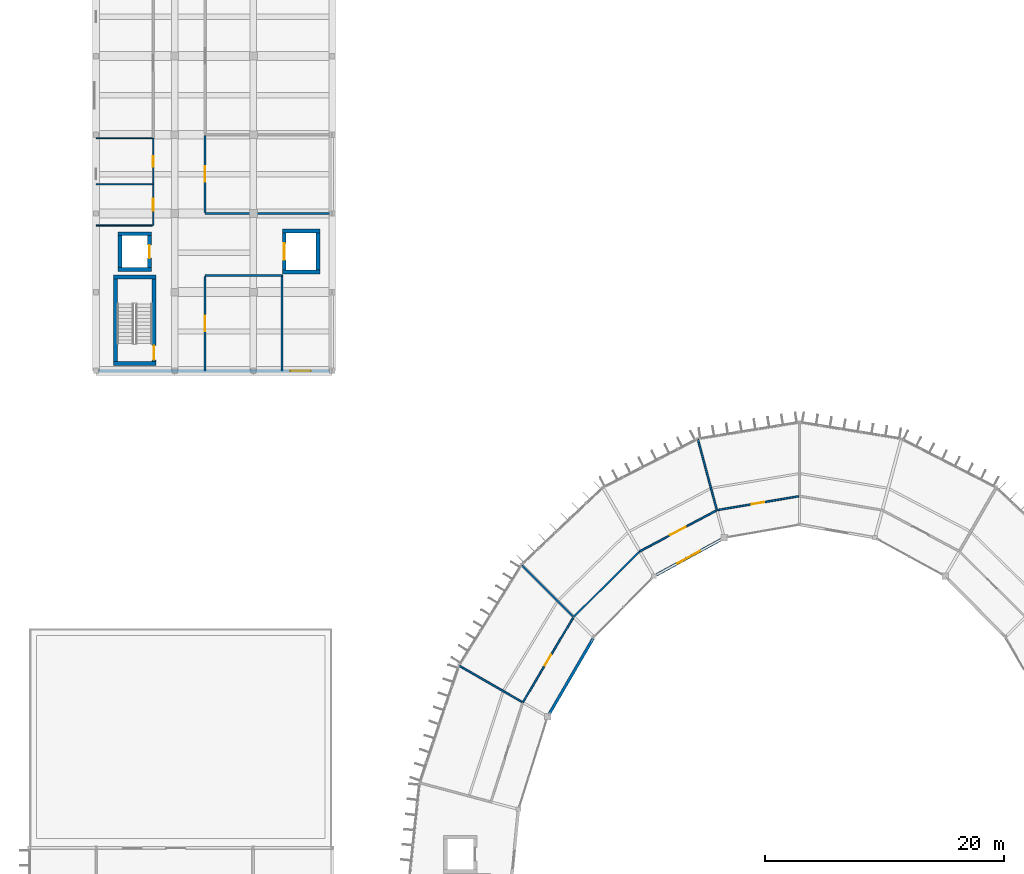
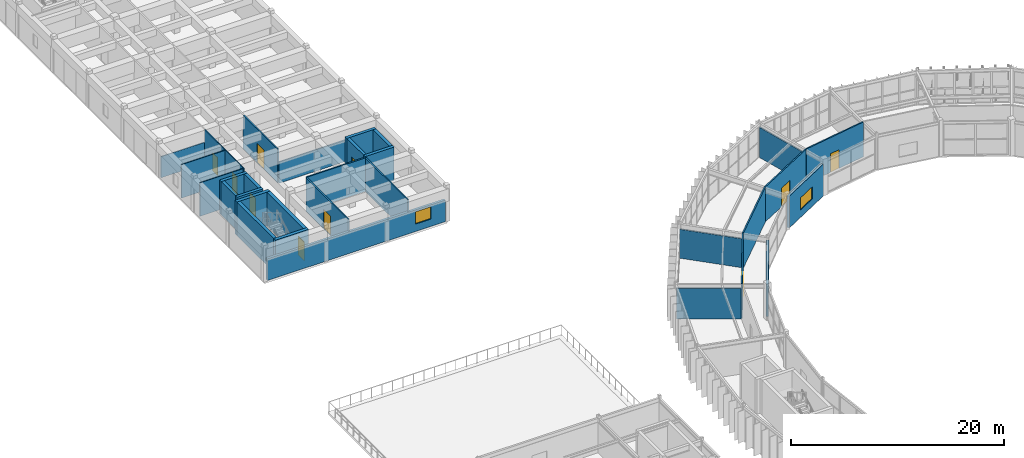
# One storey, part 114 of 130: 32 walls, 10 doors, 2 windows, 12 openings.
"""IFC4 building model written with IfcOpenShell, lengths in metres."""

from ifc_helpers import new_model, si_unit, direction, frame, frame_2d, origin, place, context, subcontext, project, spatial, rectangle, extrude, material, layer, layer_set, type_object, element, fill, save


model = new_model("IFC4")

# Units and contexts
model_context = context("Model", 3, precision=1e-05, world=origin(), true_north=direction((0.0, 1.0)))
body_context = subcontext(model_context, "Body", "Model", "MODEL_VIEW")
ifc_project = project(units=[si_unit("LENGTHUNIT", "METRE"), si_unit("AREAUNIT", "SQUARE_METRE"), si_unit("VOLUMEUNIT", "CUBIC_METRE"), si_unit("PLANEANGLEUNIT", "RADIAN"), si_unit("MASSUNIT", "GRAM", prefix="KILO")], contexts=[model_context])

# Site, building, storey
site_placement = place(None, origin())
site = spatial("IfcSite", under=ifc_project, at=site_placement, CompositionType="ELEMENT")
building_placement = place(site_placement, origin())
building = spatial("IfcBuilding", under=site, at=building_placement, Name="Karori Crest Natural Sciences Institute", CompositionType="ELEMENT")
storey_placement = place(building_placement, frame((0.0, 0.0, 17.5)))
storey = spatial("IfcBuildingStorey", under=building, at=storey_placement, Name="L04", CompositionType="ELEMENT", Elevation=17.5)

# Walls
ifc_material_1 = material(Name="Concrete 50 MPa", Category="concrete")
ifc_layer_1 = layer(ifc_material_1, 0.35009765625, Name="Concrete 50 MPa")
ifc_layer_set_1 = layer_set([ifc_layer_1], Name="Concrete 50 MPa")
wall_type_1 = type_object("IfcWallType", Name="IWT-02", PredefinedType="SHEAR", material=ifc_layer_set_1)
for number, where, z_axis, x_axis, name in (
    (1, (8.85009765625, 95.625, 0.0), (0.0, 0.0, 1.0), (1.0, 0.0, 0.0), "Shear wall IW-0185"),
    (2, (8.85009765625, 102.875, 0.0), (0.0, 0.0, 1.0), (1.0, 0.0, 0.0), "Shear wall IW-0186"),
):
    element("IfcWall", number, at=place(storey_placement, frame(where, z_axis=z_axis, x_axis=x_axis)), inside=storey, type_object=wall_type_1, Name=name, PredefinedType="SHEAR", context=body_context, shape_type="SweptSolid", body=[
        extrude(rectangle(XDim=3.599853515625, YDim=0.35009765625, at=frame_2d((1.7998046875, 0.0))), origin(), (0.0, 0.0, 1.0), 3.85009765625),
    ])
wall_1_placement = place(storey_placement, frame((9.02490234375, 95.802001953125, 0.0), z_axis=(0.0, 0.0, 1.0), x_axis=(0.0, 1.0, 0.0)))
element("IfcWall", 3, at=wall_1_placement, inside=storey, type_object=wall_type_1, Name="Shear wall IW-0187", PredefinedType="SHEAR", context=body_context, shape_type="SweptSolid", body=[
    extrude(rectangle(XDim=6.89599609375, YDim=0.35009765625, at=frame_2d((3.447998046875, 0.0))), origin(), (0.0, 0.0, 1.0), 3.85009765625),
])

# Wall, opening, door
wall_2_placement = place(storey_placement, frame((12.27490234375, 95.802001953125, 0.0), z_axis=(0.0, 0.0, 1.0), x_axis=(0.0, 1.0, 0.0)))
wall_2 = element("IfcWall", 4, at=wall_2_placement, inside=storey, type_object=wall_type_1, Name="Shear wall IW-0188", PredefinedType="SHEAR", context=body_context, shape_type="SweptSolid", body=[
    extrude(rectangle(XDim=6.89599609375, YDim=0.35009765625, at=frame_2d((3.447998046875, 0.0))), origin(), (0.0, 0.0, 1.0), 3.85009765625),
])
opening_1_placement = place(wall_2_placement, frame((0.1201171875, 0.0, 0.0)))
opening_1 = element("IfcOpeningElement", 5, at=opening_1_placement, cuts=wall_2, Name="Opening ID-0047", PredefinedType="OPENING", context=body_context, shape_type="SweptSolid", body=[
    extrude(rectangle(XDim=1.199951171875, YDim=2.14990234375, at=frame_2d((0.60009765625, 1.074951171875))), frame((0.0, 0.18505859375, 0.0), z_axis=(0.0, -1.0, 0.0), x_axis=(1.0, 0.0, 0.0)), (0.0, 0.0, 1.0), 0.3701171875),
])
ifc_material_2 = material(Name="Stainless steel 316 and fire-rated timber", Category="steel")
door_type_1 = type_object("IfcDoorType", Name="IDT-01", OperationType="NOTDEFINED", PredefinedType="DOOR", material=ifc_material_2)
door_1_placement = place(opening_1_placement, origin())
door_1 = element("IfcDoor", 6, at=door_1_placement, inside=storey, type_object=door_type_1, Name="Stair ST-05 fire door ID-0047", OperationType="SINGLE_SWING_LEFT", OverallHeight=2.14990234375, OverallWidth=1.199951171875, PredefinedType="DOOR", context=body_context, shape_type="SweptSolid", body=[
    extrude(rectangle(XDim=1.199951171875, YDim=2.14990234375, at=frame_2d((0.60009765625, 1.074951171875))), frame((0.0, 0.02490234375, 0.0), z_axis=(0.0, -1.0, 0.0), x_axis=(1.0, 0.0, 0.0)), (0.0, 0.0, 1.0), 0.050048828125),
])
fill(opening_1, door_1)

# Walls
ifc_layer_2 = layer(ifc_material_1, 0.320068359375, Name="Concrete 50 MPa")
ifc_layer_set_2 = layer_set([ifc_layer_2], Name="Concrete 50 MPa")
wall_type_2 = type_object("IfcWallType", Name="IWT-03", PredefinedType="SHEAR", material=ifc_layer_set_2)
for number, where, z_axis, x_axis, name in (
    (7, (9.2451171875, 103.5048828125, 0.0), (0.0, 0.0, 1.0), (1.0, 0.0, 0.0), "Shear wall IW-0507"),
    (8, (9.2451171875, 106.4951171875, 0.0), (0.0, 0.0, 1.0), (1.0, 0.0, 0.0), "Shear wall IW-0508"),
):
    element("IfcWall", number, at=place(storey_placement, frame(where, z_axis=z_axis, x_axis=x_axis)), inside=storey, type_object=wall_type_2, Name=name, PredefinedType="SHEAR", context=body_context, shape_type="SweptSolid", body=[
        extrude(rectangle(XDim=2.809814453125, YDim=0.320068359375, at=frame_2d((1.40478515625, 0.0))), origin(), (0.0, 0.0, 1.0), 3.85009765625),
    ])
wall_3_placement = place(storey_placement, frame((9.405029296875, 103.6669921875, 0.0), z_axis=(0.0, 0.0, 1.0), x_axis=(0.0, 1.0, 0.0)))
element("IfcWall", 9, at=wall_3_placement, inside=storey, type_object=wall_type_2, Name="Shear wall IW-0509", PredefinedType="SHEAR", context=body_context, shape_type="SweptSolid", body=[
    extrude(rectangle(XDim=2.666015625, YDim=0.320068359375, at=frame_2d((1.3330078125, 0.0))), origin(), (0.0, 0.0, 1.0), 3.85009765625),
])

# Wall, opening, door
wall_4_placement = place(storey_placement, frame((11.89501953125, 103.6669921875, 0.0), z_axis=(0.0, 0.0, 1.0), x_axis=(0.0, 1.0, 0.0)))
wall_4 = element("IfcWall", 10, at=wall_4_placement, inside=storey, type_object=wall_type_2, Name="Shear wall IW-0510", PredefinedType="SHEAR", context=body_context, shape_type="SweptSolid", body=[
    extrude(rectangle(XDim=2.666015625, YDim=0.320068359375, at=frame_2d((1.3330078125, 0.0))), origin(), (0.0, 0.0, 1.0), 3.85009765625),
])
opening_2_placement = place(wall_4_placement, frame((0.782958984375, 0.0, 0.0)))
opening_2 = element("IfcOpeningElement", 11, at=opening_2_placement, cuts=wall_4, Name="Opening LD-0053", PredefinedType="OPENING", context=body_context, shape_type="SweptSolid", body=[
    extrude(rectangle(XDim=1.10009765625, YDim=2.14990234375, at=frame_2d((0.550048828125, 1.074951171875))), frame((0.0, 0.169921875, 0.0), z_axis=(0.0, -1.0, 0.0), x_axis=(1.0, 0.0, 0.0)), (0.0, 0.0, 1.0), 0.340087890625),
])
door_type_2 = type_object("IfcDoorType", Name="LDT-01", OperationType="SLIDING_TO_LEFT", PredefinedType="DOOR", material=ifc_material_2)
door_2_placement = place(opening_2_placement, origin())
door_2 = element("IfcDoor", 12, at=door_2_placement, inside=storey, type_object=door_type_2, Name="Lift LP-04 landing door LD-0053", OperationType="SLIDING_TO_LEFT", OverallHeight=2.14990234375, OverallWidth=1.10009765625, PredefinedType="DOOR", context=body_context, shape_type="SweptSolid", body=[
    extrude(rectangle(XDim=1.10009765625, YDim=2.14990234375, at=frame_2d((0.550048828125, 1.074951171875))), frame((0.0, 0.02490234375, 0.0), z_axis=(0.0, -1.0, 0.0), x_axis=(1.0, 0.0, 0.0)), (0.0, 0.0, 1.0), 0.050048828125),
])
fill(opening_2, door_2)

# Walls
for number, where, z_axis, x_axis, name in (
    (13, (23.02001953125, 103.280029296875, 0.0), (0.0, 0.0, 1.0), (1.0, 0.0, 0.0), "Shear wall IW-0539"),
    (14, (23.02001953125, 106.719970703125, 0.0), (0.0, 0.0, 1.0), (1.0, 0.0, 0.0), "Shear wall IW-0540"),
):
    element("IfcWall", number, at=place(storey_placement, frame(where, z_axis=z_axis, x_axis=x_axis)), inside=storey, type_object=wall_type_2, Name=name, PredefinedType="SHEAR", context=body_context, shape_type="SweptSolid", body=[
        extrude(rectangle(XDim=3.159912109375, YDim=0.320068359375, at=frame_2d((1.580078125, 0.0))), origin(), (0.0, 0.0, 1.0), 3.85009765625),
    ])

# Wall, opening, door
wall_5_placement = place(storey_placement, frame((23.179931640625, 103.44189453125, 0.0), z_axis=(0.0, 0.0, 1.0), x_axis=(0.0, 1.0, 0.0)))
wall_5 = element("IfcWall", 15, at=wall_5_placement, inside=storey, type_object=wall_type_2, Name="Shear wall IW-0541", PredefinedType="SHEAR", context=body_context, shape_type="SweptSolid", body=[
    extrude(rectangle(XDim=3.1162109375, YDim=0.320068359375, at=frame_2d((1.55810546875, 0.0))), origin(), (0.0, 0.0, 1.0), 3.85009765625),
])
opening_3_placement = place(wall_5_placement, frame((0.85791015625, 0.0, 0.0)))
opening_3 = element("IfcOpeningElement", 16, at=opening_3_placement, cuts=wall_5, Name="Opening LD-0061", PredefinedType="OPENING", context=body_context, shape_type="SweptSolid", body=[
    extrude(rectangle(XDim=1.39990234375, YDim=2.25, at=frame_2d((0.699951171875, 1.125))), frame((0.0, 0.169921875, 0.0), z_axis=(0.0, -1.0, 0.0), x_axis=(1.0, 0.0, 0.0)), (0.0, 0.0, 1.0), 0.340087890625),
])
door_type_3 = type_object("IfcDoorType", Name="LDT-03", OperationType="DOUBLE_DOOR_SLIDING", PredefinedType="DOOR", material=ifc_material_2)
door_3_placement = place(opening_3_placement, origin())
door_3 = element("IfcDoor", 17, at=door_3_placement, inside=storey, type_object=door_type_3, Name="Lift LG-01 landing door LD-0061", OperationType="DOUBLE_DOOR_SLIDING", OverallHeight=2.25, OverallWidth=1.39990234375, PredefinedType="DOOR", context=body_context, shape_type="SweptSolid", body=[
    extrude(rectangle(XDim=1.39990234375, YDim=2.25, at=frame_2d((0.699951171875, 1.125))), frame((0.0, 0.02490234375, 0.0), z_axis=(0.0, -1.0, 0.0), x_axis=(1.0, 0.0, 0.0)), (0.0, 0.0, 1.0), 0.050048828125),
])
fill(opening_3, door_3)

# Walls
wall_6_placement = place(storey_placement, frame((26.02001953125, 103.44189453125, 0.0), z_axis=(0.0, 0.0, 1.0), x_axis=(0.0, 1.0, 0.0)))
element("IfcWall", 18, at=wall_6_placement, inside=storey, type_object=wall_type_2, Name="Shear wall IW-0542", PredefinedType="SHEAR", context=body_context, shape_type="SweptSolid", body=[
    extrude(rectangle(XDim=3.1162109375, YDim=0.320068359375, at=frame_2d((1.55810546875, 0.0))), origin(), (0.0, 0.0, 1.0), 3.85009765625),
])
ifc_material_3 = material(Name="Clean-room insulated fire partition")
ifc_layer_3 = layer(ifc_material_3, 0.14990234375, Name="Clean-room insulated fire partition")
ifc_layer_set_3 = layer_set([ifc_layer_3], Name="Clean-room insulated fire partition")
wall_type_3 = type_object("IfcWallType", Name="IWT-06", PredefinedType="PARTITIONING", material=ifc_layer_set_3)
wall_7_placement = place(storey_placement, frame((16.550048828125, 103.0, 0.0), z_axis=(0.0, 0.0, 1.0), x_axis=(1.0, 0.0, 0.0)))
element("IfcWall", 19, at=wall_7_placement, inside=storey, type_object=wall_type_3, Name="Partition wall IW-1011", PredefinedType="PARTITIONING", context=body_context, shape_type="SweptSolid", body=[
    extrude(rectangle(XDim=6.449951171875, YDim=0.14990234375, at=frame_2d((3.22509765625, 0.0))), origin(), (0.0, 0.0, 1.0), 3.85009765625),
])

# Wall, opening, door
wall_8_placement = place(storey_placement, frame((16.550048828125, 95.0, 0.0), z_axis=(0.0, 0.0, 1.0), x_axis=(0.0, 1.0, 0.0)))
wall_8 = element("IfcWall", 20, at=wall_8_placement, inside=storey, type_object=wall_type_3, Name="Partition wall IW-1012", PredefinedType="PARTITIONING", context=body_context, shape_type="SweptSolid", body=[
    extrude(rectangle(XDim=7.923095703125, YDim=0.14990234375, at=frame_2d((3.96142578125, 0.0))), origin(), (0.0, 0.0, 1.0), 3.85009765625),
])
opening_4_placement = place(wall_8_placement, frame((3.3115234375, 0.0, 0.0)))
opening_4 = element("IfcOpeningElement", 21, at=opening_4_placement, cuts=wall_8, Name="Opening ID-0276", PredefinedType="OPENING", context=body_context, shape_type="SweptSolid", body=[
    extrude(rectangle(XDim=1.300048828125, YDim=2.199951171875, at=frame_2d((0.64990234375, 1.10009765625))), frame((0.0, 0.0849609375, 0.0), z_axis=(0.0, -1.0, 0.0), x_axis=(1.0, 0.0, 0.0)), (0.0, 0.0, 1.0), 0.169921875),
])
door_type_4 = type_object("IfcDoorType", Name="IDT-04", OperationType="NOTDEFINED", PredefinedType="DOOR", material=ifc_material_2)
door_4_placement = place(opening_4_placement, origin())
door_4 = element("IfcDoor", 22, at=door_4_placement, inside=storey, type_object=door_type_4, Name="ISO Class 5 Lithography Clean Room door ID-0276", OperationType="SINGLE_SWING_RIGHT", OverallHeight=2.199951171875, OverallWidth=1.300048828125, PredefinedType="DOOR", context=body_context, shape_type="SweptSolid", body=[
    extrude(rectangle(XDim=1.300048828125, YDim=2.199951171875, at=frame_2d((0.64990234375, 1.10009765625))), frame((0.0, 0.02490234375, 0.0), z_axis=(0.0, -1.0, 0.0), x_axis=(1.0, 0.0, 0.0)), (0.0, 0.0, 1.0), 0.050048828125),
])
fill(opening_4, door_4)

# Walls
wall_9_placement = place(storey_placement, frame((23.0, 95.0, 0.0), z_axis=(0.0, 0.0, 1.0), x_axis=(0.0, 1.0, 0.0)))
element("IfcWall", 23, at=wall_9_placement, inside=storey, type_object=wall_type_3, Name="Partition wall IW-1013", PredefinedType="PARTITIONING", context=body_context, shape_type="SweptSolid", body=[
    extrude(rectangle(XDim=8.0, YDim=0.14990234375, at=frame_2d((4.0, 0.0))), origin(), (0.0, 0.0, 1.0), 3.85009765625),
])
wall_10_placement = place(storey_placement, frame((16.550048828125, 108.199951171875, 0.0), z_axis=(0.0, 0.0, 1.0), x_axis=(1.0, 0.0, 0.0)))
element("IfcWall", 24, at=wall_10_placement, inside=storey, type_object=wall_type_3, Name="Partition wall IW-1014", PredefinedType="PARTITIONING", context=body_context, shape_type="SweptSolid", body=[
    extrude(rectangle(XDim=10.537841796875, YDim=0.14990234375, at=frame_2d((5.26904296875, 0.0))), origin(), (0.0, 0.0, 1.0), 2.43505859375),
])

# Wall, opening, door
wall_11_placement = place(storey_placement, frame((16.550048828125, 108.277099609375, 0.0), z_axis=(0.0, 0.0, 1.0), x_axis=(0.0, 1.0, 0.0)))
wall_11 = element("IfcWall", 25, at=wall_11_placement, inside=storey, type_object=wall_type_3, Name="Partition wall IW-1016", PredefinedType="PARTITIONING", context=body_context, shape_type="SweptSolid", body=[
    extrude(rectangle(XDim=6.44580078125, YDim=0.14990234375, at=frame_2d((3.222900390625, 0.0))), origin(), (0.0, 0.0, 1.0), 3.85009765625),
])
opening_5_placement = place(wall_11_placement, frame((2.572998046875, 0.0, 0.0)))
opening_5 = element("IfcOpeningElement", 26, at=opening_5_placement, cuts=wall_11, Name="Opening ID-0277", PredefinedType="OPENING", context=body_context, shape_type="SweptSolid", body=[
    extrude(rectangle(XDim=1.300048828125, YDim=2.199951171875, at=frame_2d((0.64990234375, 1.10009765625))), frame((0.0, 0.0849609375, 0.0), z_axis=(0.0, -1.0, 0.0), x_axis=(1.0, 0.0, 0.0)), (0.0, 0.0, 1.0), 0.169921875),
])
door_5_placement = place(opening_5_placement, origin())
door_5 = element("IfcDoor", 27, at=door_5_placement, inside=storey, type_object=door_type_4, Name="ISO Class 7 Bio-MEMS Clean Room door ID-0277", OperationType="SINGLE_SWING_LEFT", OverallHeight=2.199951171875, OverallWidth=1.300048828125, PredefinedType="DOOR", context=body_context, shape_type="SweptSolid", body=[
    extrude(rectangle(XDim=1.300048828125, YDim=2.199951171875, at=frame_2d((0.64990234375, 1.10009765625))), frame((0.0, 0.02490234375, 0.0), z_axis=(0.0, -1.0, 0.0), x_axis=(1.0, 0.0, 0.0)), (0.0, 0.0, 1.0), 0.050048828125),
])
fill(opening_5, door_5)

ifc_material_4 = material(Name="Laboratory acoustic drywall partition")
ifc_layer_4 = layer(ifc_material_4, 0.139892578125, Name="Laboratory acoustic drywall partition")
ifc_layer_set_4 = layer_set([ifc_layer_4], Name="Laboratory acoustic drywall partition")
wall_type_4 = type_object("IfcWallType", Name="IWT-07", PredefinedType="PARTITIONING", material=ifc_layer_set_4)
wall_12_placement = place(storey_placement, frame((66.327880859375, 84.48779296875, 0.0), z_axis=(0.0, 0.0, 1.0), x_axis=(-0.98586001765, -0.167570956905, 0.0)))
wall_12 = element("IfcWall", 28, at=wall_12_placement, inside=storey, type_object=wall_type_4, Name="Partition wall IW-1339", PredefinedType="PARTITIONING", context=body_context, shape_type="SweptSolid", body=[
    extrude(rectangle(XDim=6.962646484375, YDim=0.139892578125, at=frame_2d((3.4814453125, 0.0))), origin(), (0.0, 0.0, 1.0), 4.0),
])
opening_6_placement = place(wall_12_placement, frame((2.956298828125, 0.0, 0.0)))
opening_6 = element("IfcOpeningElement", 29, at=opening_6_placement, cuts=wall_12, Name="Opening ID-0420", PredefinedType="OPENING", context=body_context, shape_type="SweptSolid", body=[
    extrude(rectangle(XDim=1.050048828125, YDim=2.14990234375, at=frame_2d((0.52490234375, 1.074951171875))), frame((0.0, 0.080078125, 0.0), z_axis=(0.0, -1.0, 0.0), x_axis=(1.0, 0.0, 0.0)), (0.0, 0.0, 1.0), 0.159912109375),
])
door_type_5 = type_object("IfcDoorType", Name="IDT-03", OperationType="NOTDEFINED", PredefinedType="DOOR", material=ifc_material_2)
door_6_placement = place(opening_6_placement, origin())
door_6 = element("IfcDoor", 30, at=door_6_placement, inside=storey, type_object=door_type_5, Name="Molecular Ecology Wet Laboratory door ID-0420", OperationType="SINGLE_SWING_LEFT", OverallHeight=2.14990234375, OverallWidth=1.050048828125, PredefinedType="DOOR", context=body_context, shape_type="SweptSolid", body=[
    extrude(rectangle(XDim=1.050048828125, YDim=2.14990234375, at=frame_2d((0.52490234375, 1.074951171875))), frame((0.0, 0.02490234375, 0.0), z_axis=(0.0, -1.0, 0.0), x_axis=(1.0, 0.0, 0.0)), (0.0, 0.0, 1.0), 0.050048828125),
])
fill(opening_6, door_6)

# Wall
wall_13_placement = place(storey_placement, frame((59.44287109375, 83.398193359375, 0.0), z_axis=(0.0, 0.0, 1.0), x_axis=(-0.258805895167, 0.965929349708, 0.0)))
element("IfcWall", 31, at=wall_13_placement, inside=storey, type_object=wall_type_4, Name="Partition wall IW-1340", PredefinedType="PARTITIONING", context=body_context, shape_type="SweptSolid", body=[
    extrude(rectangle(XDim=6.06005859375, YDim=0.139892578125, at=frame_2d((3.030029296875, 0.0))), origin(), (0.0, 0.0, 1.0), 3.465087890625),
])

# Wall, opening, door
wall_14_placement = place(storey_placement, frame((59.3984375, 83.2861328125, 0.0), z_axis=(0.0, 0.0, 1.0), x_axis=(-0.881829873621, -0.471567676999, 0.0)))
wall_14 = element("IfcWall", 32, at=wall_14_placement, inside=storey, type_object=wall_type_4, Name="Partition wall IW-1341", PredefinedType="PARTITIONING", context=body_context, shape_type="SweptSolid", body=[
    extrude(rectangle(XDim=7.255859375, YDim=0.139892578125, at=frame_2d((3.6279296875, 0.0))), origin(), (0.0, 0.0, 1.0), 4.0),
])
opening_7_placement = place(wall_14_placement, frame((2.8779296875, 0.0, 0.0)))
opening_7 = element("IfcOpeningElement", 33, at=opening_7_placement, cuts=wall_14, Name="Opening ID-0421", PredefinedType="OPENING", context=body_context, shape_type="SweptSolid", body=[
    extrude(rectangle(XDim=1.5, YDim=2.14990234375, at=frame_2d((0.75, 1.074951171875))), frame((0.0, 0.080078125, 0.0), z_axis=(0.0, -1.0, 0.0), x_axis=(1.0, 0.0, 0.0)), (0.0, 0.0, 1.0), 0.159912109375),
])
door_type_6 = type_object("IfcDoorType", Name="IDT-05", OperationType="DOUBLE_DOOR_SINGLE_SWING", PredefinedType="DOOR", material=ifc_material_2)
door_7_placement = place(opening_7_placement, origin())
door_7 = element("IfcDoor", 34, at=door_7_placement, inside=storey, type_object=door_type_6, Name="Wet Biology Laboratory door ID-0421", OperationType="DOUBLE_DOOR_SINGLE_SWING", OverallHeight=2.14990234375, OverallWidth=1.5, PredefinedType="DOOR", context=body_context, shape_type="SweptSolid", body=[
    extrude(rectangle(XDim=1.5, YDim=2.14990234375, at=frame_2d((0.75, 1.074951171875))), frame((0.0, 0.02490234375, 0.0), z_axis=(0.0, -1.0, 0.0), x_axis=(1.0, 0.0, 0.0)), (0.0, 0.0, 1.0), 0.050048828125),
])
fill(opening_7, door_7)

# Walls
wall_15_placement = place(storey_placement, frame((52.99853515625, 79.863037109375, 0.0), z_axis=(0.0, 0.0, 1.0), x_axis=(-0.710427757183, -0.703770134222, 0.0)))
element("IfcWall", 35, at=wall_15_placement, inside=storey, type_object=wall_type_4, Name="Partition wall IW-1342", PredefinedType="PARTITIONING", context=body_context, shape_type="SweptSolid", body=[
    extrude(rectangle(XDim=7.810791015625, YDim=0.139892578125, at=frame_2d((3.9052734375, 0.0))), origin(), (0.0, 0.0, 1.0), 4.0),
])
wall_16_placement = place(storey_placement, frame((47.392822265625, 74.422607421875, 0.0), z_axis=(0.0, 0.0, 1.0), x_axis=(-0.707106781187, 0.707106781187, 0.0)))
element("IfcWall", 36, at=wall_16_placement, inside=storey, type_object=wall_type_4, Name="Partition wall IW-1343", PredefinedType="PARTITIONING", context=body_context, shape_type="SweptSolid", body=[
    extrude(rectangle(XDim=6.059814453125, YDim=0.139892578125, at=frame_2d((3.02978515625, 0.0))), origin(), (0.0, 0.0, 1.0), 3.322998046875),
])

# Wall, opening, door
wall_17_placement = place(storey_placement, frame((47.41162109375, 74.302001953125, 0.0), z_axis=(0.0, 0.0, 1.0), x_axis=(-0.51092787214, -0.85962358592, 0.0)))
wall_17 = element("IfcWall", 37, at=wall_17_placement, inside=storey, type_object=wall_type_4, Name="Partition wall IW-1344", PredefinedType="PARTITIONING", context=body_context, shape_type="SweptSolid", body=[
    extrude(rectangle(XDim=8.26171875, YDim=0.139892578125, at=frame_2d((4.130859375, 0.0))), origin(), (0.0, 0.0, 1.0), 4.0),
])
opening_8_placement = place(wall_17_placement, frame((3.60595703125, 0.0, 0.0)))
opening_8 = element("IfcOpeningElement", 38, at=opening_8_placement, cuts=wall_17, Name="Opening ID-0422", PredefinedType="OPENING", context=body_context, shape_type="SweptSolid", body=[
    extrude(rectangle(XDim=1.050048828125, YDim=2.14990234375, at=frame_2d((0.52490234375, 1.074951171875))), frame((0.0, 0.080078125, 0.0), z_axis=(0.0, -1.0, 0.0), x_axis=(1.0, 0.0, 0.0)), (0.0, 0.0, 1.0), 0.159912109375),
])
door_8_placement = place(opening_8_placement, origin())
door_8 = element("IfcDoor", 39, at=door_8_placement, inside=storey, type_object=door_type_5, Name="Organic Biogeochemistry Laboratory door ID-0422", OperationType="SINGLE_SWING_RIGHT", OverallHeight=2.14990234375, OverallWidth=1.050048828125, PredefinedType="DOOR", context=body_context, shape_type="SweptSolid", body=[
    extrude(rectangle(XDim=1.050048828125, YDim=2.14990234375, at=frame_2d((0.52490234375, 1.074951171875))), frame((0.0, 0.02490234375, 0.0), z_axis=(0.0, -1.0, 0.0), x_axis=(1.0, 0.0, 0.0)), (0.0, 0.0, 1.0), 0.050048828125),
])
fill(opening_8, door_8)

# Walls
wall_18_placement = place(storey_placement, frame((43.12109375, 67.239990234375, 0.0), z_axis=(0.0, 0.0, 1.0), x_axis=(-0.866010470582, 0.500025864173, 0.0)))
element("IfcWall", 40, at=wall_18_placement, inside=storey, type_object=wall_type_4, Name="Partition wall IW-1345", PredefinedType="PARTITIONING", context=body_context, shape_type="SweptSolid", body=[
    extrude(rectangle(XDim=6.059814453125, YDim=0.139892578125, at=frame_2d((3.02978515625, 0.0))), origin(), (0.0, 0.0, 1.0), 3.470947265625),
])
ifc_material_5 = material(Name="Washroom moisture-resistant partition")
ifc_layer_5 = layer(ifc_material_5, 0.10009765625, Name="Washroom moisture-resistant partition")
ifc_layer_set_5 = layer_set([ifc_layer_5], Name="Washroom moisture-resistant partition")
wall_type_5 = type_object("IfcWallType", Name="IWT-09", PredefinedType="PARTITIONING", material=ifc_layer_set_5)
for number, where, z_axis, x_axis, name in (
    (41, (7.39990234375, 107.199951171875, 0.0), (0.0, 0.0, 1.0), (1.0, 0.0, 0.0), "Partition wall IW-1002"),
    (42, (7.39990234375, 110.64990234375, 0.0), (0.0, 0.0, 1.0), (1.0, 0.0, 0.0), "Partition wall IW-1003"),
):
    element("IfcWall", number, at=place(storey_placement, frame(where, z_axis=z_axis, x_axis=x_axis)), inside=storey, type_object=wall_type_5, Name=name, PredefinedType="PARTITIONING", context=body_context, shape_type="SweptSolid", body=[
        extrude(rectangle(XDim=4.697998046875, YDim=0.10009765625, at=frame_2d((2.34912109375, 0.0))), origin(), (0.0, 0.0, 1.0), 3.85009765625),
    ])

# Wall, opening, door
wall_19_placement = place(storey_placement, frame((12.199951171875, 107.199951171875, 0.0), z_axis=(0.0, 0.0, 1.0), x_axis=(0.0, 1.0, 0.0)))
wall_19 = element("IfcWall", 43, at=wall_19_placement, inside=storey, type_object=wall_type_5, Name="Partition wall IW-1004", PredefinedType="PARTITIONING", context=body_context, shape_type="SweptSolid", body=[
    extrude(rectangle(XDim=3.449951171875, YDim=0.10009765625, at=frame_2d((1.72509765625, 0.0))), origin(), (0.0, 0.0, 1.0), 3.85009765625),
])
opening_9_placement = place(wall_19_placement, frame((1.22509765625, 0.0, 0.0)))
opening_9 = element("IfcOpeningElement", 44, at=opening_9_placement, cuts=wall_19, Name="Opening ID-0272", PredefinedType="OPENING", context=body_context, shape_type="SweptSolid", body=[
    extrude(rectangle(XDim=1.0, YDim=2.10009765625, at=frame_2d((0.5, 1.050048828125))), frame((0.0, 0.06005859375, 0.0), z_axis=(0.0, -1.0, 0.0), x_axis=(1.0, 0.0, 0.0)), (0.0, 0.0, 1.0), 0.1201171875),
])
ifc_material_6 = material(Name="Anodised aluminium and acoustic timber", Category="wood")
door_type_7 = type_object("IfcDoorType", Name="IDT-09", OperationType="NOTDEFINED", PredefinedType="DOOR", material=ifc_material_6)
door_9_placement = place(opening_9_placement, origin())
door_9 = element("IfcDoor", 45, at=door_9_placement, inside=storey, type_object=door_type_7, Name="Accessible WC door ID-0272", OperationType="SINGLE_SWING_RIGHT", OverallHeight=2.10009765625, OverallWidth=1.0, PredefinedType="DOOR", context=body_context, shape_type="SweptSolid", body=[
    extrude(rectangle(XDim=1.0, YDim=2.10009765625, at=frame_2d((0.5, 1.050048828125))), frame((0.0, 0.02490234375, 0.0), z_axis=(0.0, -1.0, 0.0), x_axis=(1.0, 0.0, 0.0)), (0.0, 0.0, 1.0), 0.050048828125),
])
fill(opening_9, door_9)

# Wall
wall_20_placement = place(storey_placement, frame((7.39990234375, 114.5, 0.0), z_axis=(0.0, 0.0, 1.0), x_axis=(1.0, 0.0, 0.0)))
element("IfcWall", 46, at=wall_20_placement, inside=storey, type_object=wall_type_5, Name="Partition wall IW-1005", PredefinedType="PARTITIONING", context=body_context, shape_type="SweptSolid", body=[
    extrude(rectangle(XDim=4.697998046875, YDim=0.10009765625, at=frame_2d((2.34912109375, 0.0))), origin(), (0.0, 0.0, 1.0), 2.43505859375),
])

# Wall, opening, door
wall_21_placement = place(storey_placement, frame((12.199951171875, 110.652099609375, 0.0), z_axis=(0.0, 0.0, 1.0), x_axis=(0.0, 1.0, 0.0)))
wall_21 = element("IfcWall", 47, at=wall_21_placement, inside=storey, type_object=wall_type_5, Name="Partition wall IW-1006", PredefinedType="PARTITIONING", context=body_context, shape_type="SweptSolid", body=[
    extrude(rectangle(XDim=3.847900390625, YDim=0.10009765625, at=frame_2d((1.923828125, 0.0))), origin(), (0.0, 0.0, 1.0), 3.85009765625),
])
opening_10_placement = place(wall_21_placement, frame((1.48388671875, 0.0, 0.0)))
opening_10 = element("IfcOpeningElement", 48, at=opening_10_placement, cuts=wall_21, Name="Opening ID-0273", PredefinedType="OPENING", context=body_context, shape_type="SweptSolid", body=[
    extrude(rectangle(XDim=0.8798828125, YDim=2.080078125, at=frame_2d((0.43994140625, 1.0400390625))), frame((0.0, 0.06005859375, 0.0), z_axis=(0.0, -1.0, 0.0), x_axis=(1.0, 0.0, 0.0)), (0.0, 0.0, 1.0), 0.1201171875),
])
door_type_8 = type_object("IfcDoorType", Name="IDT-10", OperationType="NOTDEFINED", PredefinedType="DOOR", material=ifc_material_6)
door_10_placement = place(opening_10_placement, origin())
door_10 = element("IfcDoor", 49, at=door_10_placement, inside=storey, type_object=door_type_8, Name="Unisex Washroom WC door ID-0273", OperationType="SINGLE_SWING_LEFT", OverallHeight=2.080078125, OverallWidth=0.8798828125, PredefinedType="DOOR", context=body_context, shape_type="SweptSolid", body=[
    extrude(rectangle(XDim=0.8798828125, YDim=2.080078125, at=frame_2d((0.43994140625, 1.0400390625))), frame((0.0, 0.02490234375, 0.0), z_axis=(0.0, -1.0, 0.0), x_axis=(1.0, 0.0, 0.0)), (0.0, 0.0, 1.0), 0.050048828125),
])
fill(opening_10, door_10)

# Wall, opening, window
ifc_material_7 = material(Name="Precast concrete 40 MPa", Category="concrete")
ifc_layer_6 = layer(ifc_material_7, 0.260009765625, Name="Precast concrete 40 MPa")
ifc_layer_set_6 = layer_set([ifc_layer_6], Name="Precast concrete 40 MPa")
wall_type_6 = type_object("IfcWallType", Name="WT-03", PredefinedType="SOLIDWALL", material=ifc_layer_set_6)
wall_22_placement = place(storey_placement, frame((26.97705078125, 95.0, 0.0), z_axis=(0.0, 0.0, 1.0), x_axis=(-1.0, 0.0, 0.0)))
wall_22 = element("IfcWall", 50, at=wall_22_placement, inside=storey, type_object=wall_type_6, Name="Exterior wall EW-0176", PredefinedType="SOLIDWALL", context=body_context, shape_type="SweptSolid", body=[
    extrude(rectangle(XDim=19.35400390625, YDim=0.260009765625, at=frame_2d((9.677001953125, 0.0))), origin(), (0.0, 0.0, 1.0), 2.47998046875),
])
opening_11_placement = place(wall_22_placement, frame((1.576904296875, 0.0, 0.85009765625)))
opening_11 = element("IfcOpeningElement", 51, at=opening_11_placement, cuts=wall_22, Name="Opening WN-0120", PredefinedType="OPENING", context=body_context, shape_type="SweptSolid", body=[
    extrude(rectangle(XDim=1.699951171875, YDim=1.39990234375, at=frame_2d((0.85009765625, 0.699951171875))), frame((0.0, 0.14013671875, 0.0), z_axis=(0.0, -1.0, 0.0), x_axis=(1.0, 0.0, 0.0)), (0.0, 0.0, 1.0), 0.280029296875),
])
ifc_material_8 = material(Name="Double low-E laminated glass", Category="glass")
window_type_1 = type_object("IfcWindowType", Name="WNT-05", PartitioningType="SINGLE_PANEL", PredefinedType="WINDOW", material=ifc_material_8)
window_1_placement = place(opening_11_placement, origin())
window_1 = element("IfcWindow", 52, at=window_1_placement, inside=storey, type_object=window_type_1, Name="Window WN-0120", OverallHeight=1.39990234375, OverallWidth=1.699951171875, PartitioningType="SINGLE_PANEL", PredefinedType="WINDOW", context=body_context, shape_type="SweptSolid", body=[
    extrude(rectangle(XDim=1.699951171875, YDim=1.39990234375, at=frame_2d((0.85009765625, 0.699951171875))), frame((0.0, 0.030029296875, 0.0), z_axis=(0.0, -1.0, 0.0), x_axis=(1.0, 0.0, 0.0)), (0.0, 0.0, 1.0), 0.06005859375),
])
fill(opening_11, window_1)

ifc_layer_7 = layer(ifc_material_7, 0.239990234375, Name="Precast concrete 40 MPa")
ifc_layer_set_7 = layer_set([ifc_layer_7], Name="Precast concrete 40 MPa")
wall_type_7 = type_object("IfcWallType", Name="WT-04", PredefinedType="SOLIDWALL", material=ifc_layer_set_7)
wall_23_placement = place(storey_placement, frame((59.8115234375, 80.853515625, 0.0), z_axis=(0.0, 0.0, 1.0), x_axis=(-0.877452080284, -0.479664306369, 0.0)))
wall_23 = element("IfcWall", 53, at=wall_23_placement, inside=storey, type_object=wall_type_7, Name="Exterior wall EW-0079", PredefinedType="SOLIDWALL", context=body_context, shape_type="SweptSolid", body=[
    extrude(rectangle(XDim=6.16943359375, YDim=0.239990234375, at=frame_2d((3.084716796875, 0.0))), origin(), (0.0, 0.0, 1.0), 3.64990234375),
])
opening_12_placement = place(wall_23_placement, frame((2.009765625, 0.0, 0.85009765625)))
opening_12 = element("IfcOpeningElement", 54, at=opening_12_placement, cuts=wall_23, Name="Opening WN-0032", PredefinedType="OPENING", context=body_context, shape_type="SweptSolid", body=[
    extrude(rectangle(XDim=2.14990234375, YDim=1.39990234375, at=frame_2d((1.074951171875, 0.699951171875))), frame((0.0, 0.1298828125, 0.0), z_axis=(0.0, -1.0, 0.0), x_axis=(1.0, 0.0, 0.0)), (0.0, 0.0, 1.0), 0.260009765625),
])
window_type_2 = type_object("IfcWindowType", Name="WNT-08", PartitioningType="SINGLE_PANEL", PredefinedType="WINDOW", material=ifc_material_8)
window_2_placement = place(opening_12_placement, origin())
window_2 = element("IfcWindow", 55, at=window_2_placement, inside=storey, type_object=window_type_2, Name="Window WN-0032", OverallHeight=1.39990234375, OverallWidth=2.14990234375, PartitioningType="SINGLE_PANEL", PredefinedType="WINDOW", context=body_context, shape_type="SweptSolid", body=[
    extrude(rectangle(XDim=2.14990234375, YDim=1.39990234375, at=frame_2d((1.074951171875, 0.699951171875))), frame((0.0, 0.030029296875, 0.0), z_axis=(0.0, -1.0, 0.0), x_axis=(1.0, 0.0, 0.0)), (0.0, 0.0, 1.0), 0.06005859375),
])
fill(opening_12, window_2)

# Wall
wall_24_placement = place(storey_placement, frame((49.08642578125, 72.5654296875, 0.0), z_axis=(0.0, 0.0, 1.0), x_axis=(-0.502637947221, -0.864497017932, 0.0)))
element("IfcWall", 56, at=wall_24_placement, inside=storey, type_object=wall_type_7, Name="Exterior wall EW-0080", PredefinedType="SOLIDWALL", context=body_context, shape_type="SweptSolid", body=[
    extrude(rectangle(XDim=7.278564453125, YDim=0.239990234375, at=frame_2d((3.63916015625, 0.0))), origin(), (0.0, 0.0, 1.0), 3.64990234375),
])

save(model, "model.ifc")
